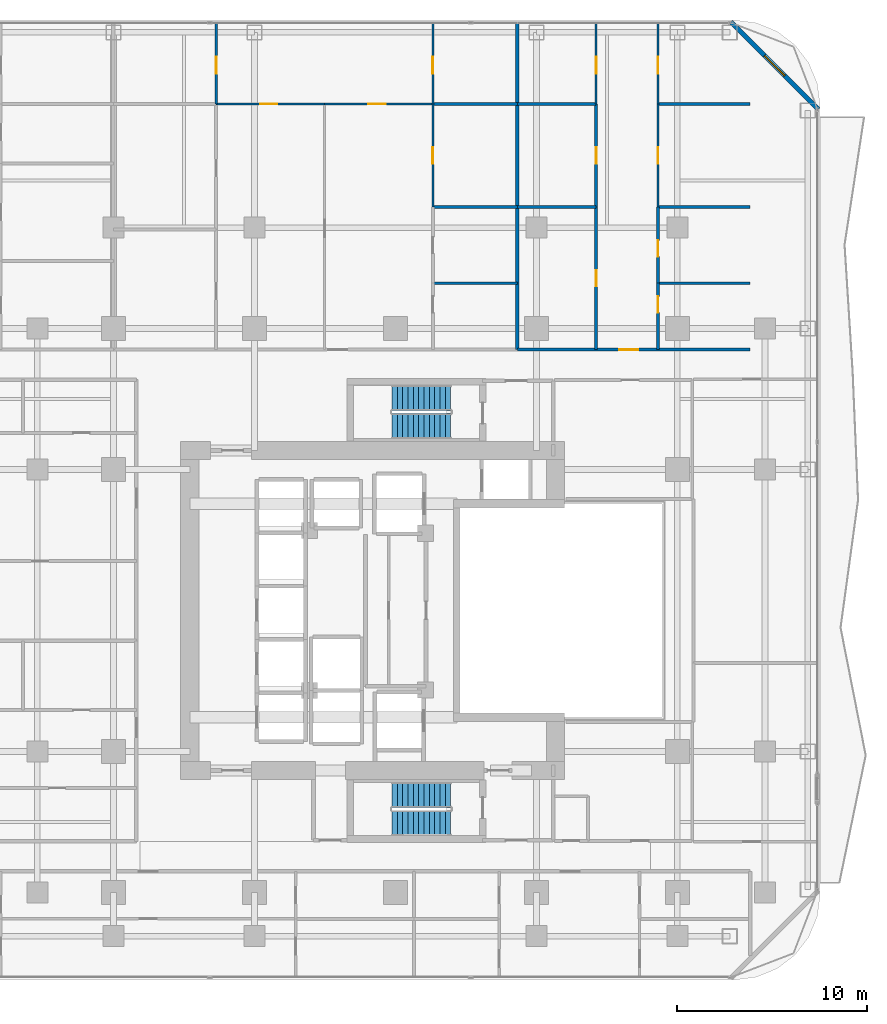
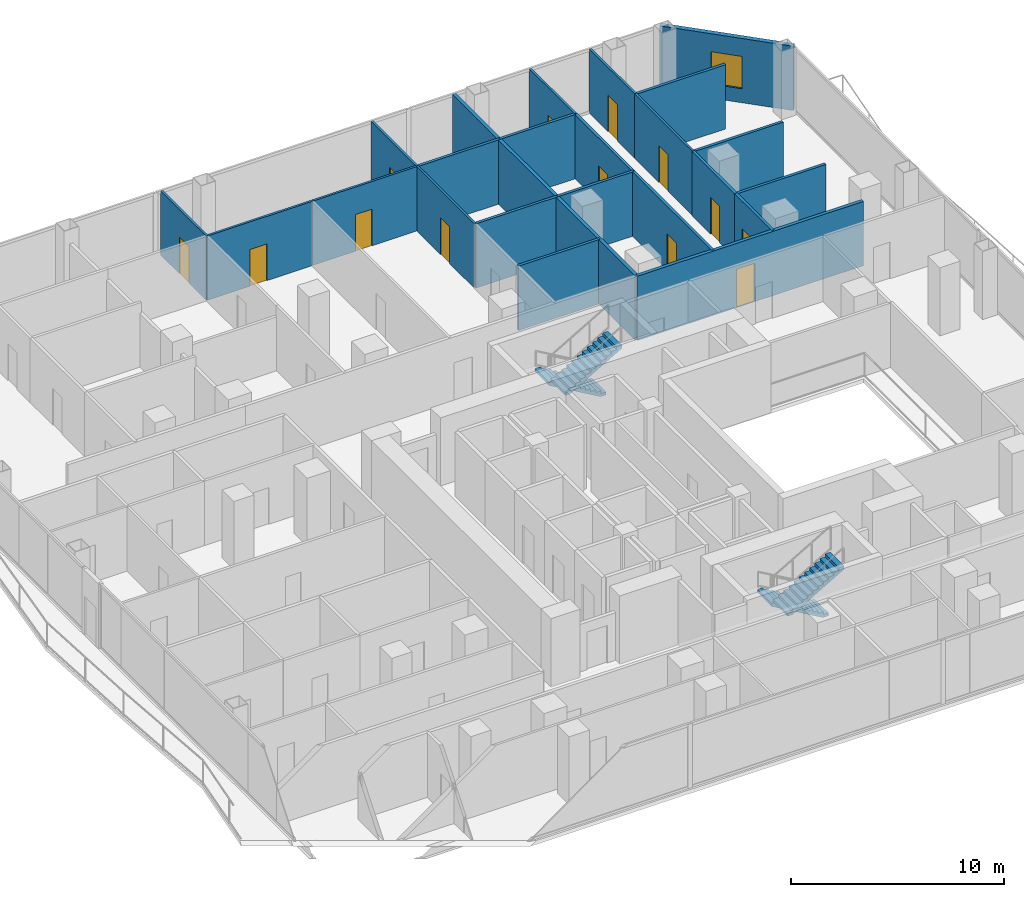
# One storey, part 23 of 27: 23 walls, 13 doors, 4 stair flights, 1 window, 14 openings, 2 elements without a shape of their own.
"""IFC4 building model written with IfcOpenShell, lengths in metres."""

from ifc_helpers import new_model, si_unit, direction, frame, frame_2d, origin, place, context, subcontext, project, spatial, polyline, rectangle, outline, extrude, material, layer, layer_set, type_object, element, fill, aggregate, save


model = new_model("IFC4")

# Units and contexts
model_context = context("Model", 3, precision=1e-05, world=origin(), true_north=direction((0.0, 1.0)))
body_context = subcontext(model_context, "Body", "Model", "MODEL_VIEW")
ifc_project = project(units=[si_unit("LENGTHUNIT", "METRE"), si_unit("AREAUNIT", "SQUARE_METRE"), si_unit("VOLUMEUNIT", "CUBIC_METRE"), si_unit("PLANEANGLEUNIT", "RADIAN"), si_unit("MASSUNIT", "GRAM", prefix="KILO")], contexts=[model_context])

# Site, building, storey
site_placement = place(None, origin())
site = spatial("IfcSite", under=ifc_project, at=site_placement, CompositionType="ELEMENT")
building_placement = place(site_placement, origin())
building = spatial("IfcBuilding", under=site, at=building_placement, Name="Khorvyn Point Tower", CompositionType="ELEMENT")
storey_placement = place(building_placement, frame((0.0, 0.0, 96.89990234375)))
storey = spatial("IfcBuildingStorey", under=building, at=storey_placement, Name="L24", CompositionType="ELEMENT", Elevation=96.89990234375)

# Wall, opening, door
ifc_material_1 = material(Name="Double acoustic gypsum on twin steel stud", Category="steel")
ifc_layer_1 = layer(ifc_material_1, 0.179931640625)
ifc_layer_set_1 = layer_set([ifc_layer_1], Name="Acoustic Double-Stud Apartment Demising Wall 180")
wall_type_1 = type_object("IfcWallType", Name="Acoustic Double-Stud Apartment Demising Wall 180", PredefinedType="PARTITIONING", material=ifc_layer_set_1)
wall_1_placement = place(storey_placement, frame((6.404052734375, 13.699951171875, 0.0), z_axis=(0.0, 0.0, 1.0), x_axis=(1.0, 0.0, 0.0)))
wall_1 = element("IfcWall", 1, at=wall_1_placement, inside=storey, type_object=wall_type_1, Name="Wall", PredefinedType="PARTITIONING", context=body_context, shape_type="SweptSolid", body=[
    extrude(rectangle(XDim=12.216064453125, YDim=0.179931640625, at=frame_2d((6.10791015625, 0.0))), origin(), (0.0, 0.0, 1.0), 3.68017578125),
])
opening_1_placement = place(wall_1_placement, frame((5.340087890625, 0.0, 0.0)))
opening_1 = element("IfcOpeningElement", 2, at=opening_1_placement, cuts=wall_1, Name="Opening ID-AP60", PredefinedType="OPENING", context=body_context, shape_type="SweptSolid", body=[
    extrude(rectangle(XDim=1.0, YDim=2.199951171875, at=frame_2d((0.5, 1.10009765625))), frame((0.0, 0.099853515625, 0.0), z_axis=(0.0, -1.0, 0.0), x_axis=(1.0, 0.0, 0.0)), (0.0, 0.0, 1.0), 0.199951171875),
])
ifc_material_2 = material(Name="Engineered hardwood fire-rated leaf", Category="wood")
door_type_1 = type_object("IfcDoorType", Name="Acoustic Solid-Core Timber Apartment Entrance Door 1000x2200", OperationType="NOTDEFINED", PredefinedType="DOOR", material=ifc_material_2)
door_1_placement = place(opening_1_placement, origin())
door_1 = element("IfcDoor", 3, at=door_1_placement, inside=storey, type_object=door_type_1, Name="Door", OperationType="SINGLE_SWING_LEFT", OverallHeight=2.199951171875, OverallWidth=1.0, PredefinedType="DOOR", context=body_context, shape_type="SweptSolid", body=[
    extrude(rectangle(XDim=1.0, YDim=2.199951171875, at=frame_2d((0.5, 1.10009765625))), frame((0.0, 0.02490234375, 0.0), z_axis=(0.0, -1.0, 0.0), x_axis=(1.0, 0.0, 0.0)), (0.0, 0.0, 1.0), 0.050048828125),
])
fill(opening_1, door_1)

# Wall
wall_2_placement = place(storey_placement, frame((6.404052734375, 13.699951171875, 0.0), z_axis=(0.0, 0.0, 1.0), x_axis=(0.0, 1.0, 0.0)))
element("IfcWall", 4, at=wall_2_placement, inside=storey, type_object=wall_type_1, Name="Wall", PredefinedType="PARTITIONING", context=body_context, shape_type="SweptSolid", body=[
    extrude(rectangle(XDim=17.130126953125, YDim=0.179931640625, at=frame_2d((8.56494140625, 0.0))), origin(), (0.0, 0.0, 1.0), 3.68017578125),
])

# Wall, opening, window
ifc_material_3 = material(Name="Pale anodised aluminium rainscreen on steel stud", Category="steel")
ifc_layer_2 = layer(ifc_material_3, 0.239990234375)
ifc_layer_set_2 = layer_set([ifc_layer_2], Name="Anodised Aluminium Insulated Corner Spandrel Wall 240")
wall_type_2 = type_object("IfcWallType", Name="Anodised Aluminium Insulated Corner Spandrel Wall 240", PredefinedType="SOLIDWALL", material=ifc_layer_set_2)
wall_3_placement = place(storey_placement, frame((17.607666015625, 30.892333984375, 0.0), z_axis=(0.0, 0.0, 1.0), x_axis=(0.707106781187, -0.707106781187, 0.0)))
wall_3 = element("IfcWall", 5, at=wall_3_placement, inside=storey, type_object=wall_type_2, Name="L24 Rounded Corner Wall NE", PredefinedType="SOLIDWALL", context=body_context, shape_type="SweptSolid", body=[
    extrude(rectangle(XDim=6.48388671875, YDim=0.239990234375, at=frame_2d((3.241943359375, 0.0))), origin(), (0.0, 0.0, 1.0), 3.68017578125),
])
opening_2_placement = place(wall_3_placement, frame((2.491943359375, 0.0, 0.800048828125)))
opening_2 = element("IfcOpeningElement", 6, at=opening_2_placement, cuts=wall_3, Name="Opening WN-1518", PredefinedType="OPENING", context=body_context, shape_type="SweptSolid", body=[
    extrude(rectangle(XDim=1.5, YDim=1.85009765625, at=frame_2d((0.75, 0.925048828125))), frame((0.0, 0.1298828125, 0.0), z_axis=(0.0, -1.0, 0.0), x_axis=(1.0, 0.0, 0.0)), (0.0, 0.0, 1.0), 0.260009765625),
])
ifc_material_4 = material(Name="Anodised aluminium 6063-T6 and laminated Low-E glass", Category="aluminium")
window_type = type_object("IfcWindowType", Name="Anodised Aluminium Rounded-Corner Panoramic Window 1500x1850", PartitioningType="SINGLE_PANEL", PredefinedType="WINDOW", material=ifc_material_4)
window_placement = place(opening_2_placement, origin())
window = element("IfcWindow", 7, at=window_placement, inside=storey, type_object=window_type, Name="L24 Corner Panoramic Window NE", OverallHeight=1.85009765625, OverallWidth=1.5, PartitioningType="SINGLE_PANEL", PredefinedType="WINDOW", context=body_context, shape_type="SweptSolid", body=[
    extrude(rectangle(XDim=1.5, YDim=1.85009765625, at=frame_2d((0.75, 0.925048828125))), frame((0.0, 0.030029296875, 0.0), z_axis=(0.0, -1.0, 0.0), x_axis=(1.0, 0.0, 0.0)), (0.0, 0.0, 1.0), 0.06005859375),
])
fill(opening_2, window)

# Wall, opening, door
ifc_material_5 = material(Name="Gypsum plasterboard on steel stud", Category="steel")
ifc_layer_3 = layer(ifc_material_5, 0.1201171875)
ifc_layer_set_3 = layer_set([ifc_layer_3], Name="Gypsum Acoustic Stud Room Partition Wall 120")
wall_type_3 = type_object("IfcWallType", Name="Gypsum Acoustic Stud Room Partition Wall 120", PredefinedType="PARTITIONING", material=ifc_layer_set_3)
wall_4_placement = place(storey_placement, frame((-9.4140625, 26.590087890625, 0.0), z_axis=(0.0, 0.0, 1.0), x_axis=(1.0, 0.0, 0.0)))
wall_4 = element("IfcWall", 8, at=wall_4_placement, inside=storey, type_object=wall_type_3, Name="Wall", PredefinedType="PARTITIONING", context=body_context, shape_type="SweptSolid", body=[
    extrude(rectangle(XDim=5.691162109375, YDim=0.1201171875, at=frame_2d((2.845703125, 0.0))), origin(), (0.0, 0.0, 1.0), 3.68017578125),
])
opening_3_placement = place(wall_4_placement, frame((2.30615234375, 0.0, 0.0)))
opening_3 = element("IfcOpeningElement", 9, at=opening_3_placement, cuts=wall_4, Name="Opening ID-RM90", PredefinedType="OPENING", context=body_context, shape_type="SweptSolid", body=[
    extrude(rectangle(XDim=0.89990234375, YDim=2.10009765625, at=frame_2d((0.449951171875, 1.050048828125))), frame((0.0, 0.070068359375, 0.0), z_axis=(0.0, -1.0, 0.0), x_axis=(1.0, 0.0, 0.0)), (0.0, 0.0, 1.0), 0.14013671875),
])
ifc_material_6 = material(Name="Engineered oak veneer timber", Category="wood")
door_type_2 = type_object("IfcDoorType", Name="Flush Engineered Timber Room Door 900x2100", OperationType="NOTDEFINED", PredefinedType="DOOR", material=ifc_material_6)
door_2_placement = place(opening_3_placement, origin())
door_2 = element("IfcDoor", 10, at=door_2_placement, inside=storey, type_object=door_type_2, Name="Door", OperationType="SINGLE_SWING_LEFT", OverallHeight=2.10009765625, OverallWidth=0.89990234375, PredefinedType="DOOR", context=body_context, shape_type="SweptSolid", body=[
    extrude(rectangle(XDim=0.89990234375, YDim=2.10009765625, at=frame_2d((0.449951171875, 1.050048828125))), frame((0.0, 0.02490234375, 0.0), z_axis=(0.0, -1.0, 0.0), x_axis=(1.0, 0.0, 0.0)), (0.0, 0.0, 1.0), 0.050048828125),
])
fill(opening_3, door_2)

wall_5_placement = place(storey_placement, frame((-3.722900390625, 26.590087890625, 0.0), z_axis=(0.0, 0.0, 1.0), x_axis=(1.0, 0.0, 0.0)))
wall_5 = element("IfcWall", 11, at=wall_5_placement, inside=storey, type_object=wall_type_3, Name="Wall", PredefinedType="PARTITIONING", context=body_context, shape_type="SweptSolid", body=[
    extrude(rectangle(XDim=5.68994140625, YDim=0.1201171875, at=frame_2d((2.844970703125, 0.0))), origin(), (0.0, 0.0, 1.0), 3.68017578125),
])
opening_4_placement = place(wall_5_placement, frame((2.3056640625, 0.0, 0.0)))
opening_4 = element("IfcOpeningElement", 12, at=opening_4_placement, cuts=wall_5, Name="Opening ID-RM90", PredefinedType="OPENING", context=body_context, shape_type="SweptSolid", body=[
    extrude(rectangle(XDim=0.89990234375, YDim=2.10009765625, at=frame_2d((0.449951171875, 1.050048828125))), frame((0.0, 0.070068359375, 0.0), z_axis=(0.0, -1.0, 0.0), x_axis=(1.0, 0.0, 0.0)), (0.0, 0.0, 1.0), 0.14013671875),
])
door_3_placement = place(opening_4_placement, origin())
door_3 = element("IfcDoor", 13, at=door_3_placement, inside=storey, type_object=door_type_2, Name="Door", OperationType="SINGLE_SWING_RIGHT", OverallHeight=2.10009765625, OverallWidth=0.89990234375, PredefinedType="DOOR", context=body_context, shape_type="SweptSolid", body=[
    extrude(rectangle(XDim=0.89990234375, YDim=2.10009765625, at=frame_2d((0.449951171875, 1.050048828125))), frame((0.0, 0.02490234375, 0.0), z_axis=(0.0, -1.0, 0.0), x_axis=(1.0, 0.0, 0.0)), (0.0, 0.0, 1.0), 0.050048828125),
])
fill(opening_4, door_3)

wall_6_placement = place(storey_placement, frame((-9.4140625, 26.590087890625, 0.0), z_axis=(0.0, 0.0, 1.0), x_axis=(0.0, 1.0, 0.0)))
wall_6 = element("IfcWall", 14, at=wall_6_placement, inside=storey, type_object=wall_type_3, Name="Wall", PredefinedType="PARTITIONING", context=body_context, shape_type="SweptSolid", body=[
    extrude(rectangle(XDim=4.239990234375, YDim=0.1201171875, at=frame_2d((2.1201171875, 0.0))), origin(), (0.0, 0.0, 1.0), 3.68017578125),
])
opening_5_placement = place(wall_6_placement, frame((1.581298828125, 0.0, 0.0)))
opening_5 = element("IfcOpeningElement", 15, at=opening_5_placement, cuts=wall_6, Name="Opening ID-RM90", PredefinedType="OPENING", context=body_context, shape_type="SweptSolid", body=[
    extrude(rectangle(XDim=0.89990234375, YDim=2.10009765625, at=frame_2d((0.449951171875, 1.050048828125))), frame((0.0, 0.070068359375, 0.0), z_axis=(0.0, -1.0, 0.0), x_axis=(1.0, 0.0, 0.0)), (0.0, 0.0, 1.0), 0.14013671875),
])
door_4_placement = place(opening_5_placement, origin())
door_4 = element("IfcDoor", 16, at=door_4_placement, inside=storey, type_object=door_type_2, Name="Door", OperationType="SINGLE_SWING_RIGHT", OverallHeight=2.10009765625, OverallWidth=0.89990234375, PredefinedType="DOOR", context=body_context, shape_type="SweptSolid", body=[
    extrude(rectangle(XDim=0.89990234375, YDim=2.10009765625, at=frame_2d((0.449951171875, 1.050048828125))), frame((0.0, 0.02490234375, 0.0), z_axis=(0.0, -1.0, 0.0), x_axis=(1.0, 0.0, 0.0)), (0.0, 0.0, 1.0), 0.050048828125),
])
fill(opening_5, door_4)

wall_7_placement = place(storey_placement, frame((1.967041015625, 21.176025390625, 0.0), z_axis=(0.0, 0.0, 1.0), x_axis=(0.0, 1.0, 0.0)))
wall_7 = element("IfcWall", 17, at=wall_7_placement, inside=storey, type_object=wall_type_3, Name="Wall", PredefinedType="PARTITIONING", context=body_context, shape_type="SweptSolid", body=[
    extrude(rectangle(XDim=5.4140625, YDim=0.1201171875, at=frame_2d((2.70703125, 0.0))), origin(), (0.0, 0.0, 1.0), 3.68017578125),
])
opening_6_placement = place(wall_7_placement, frame((2.281982421875, 0.0, 0.0)))
opening_6 = element("IfcOpeningElement", 18, at=opening_6_placement, cuts=wall_7, Name="Opening ID-WC85", PredefinedType="OPENING", context=body_context, shape_type="SweptSolid", body=[
    extrude(rectangle(XDim=0.85009765625, YDim=2.10009765625, at=frame_2d((0.425048828125, 1.050048828125))), frame((0.0, 0.070068359375, 0.0), z_axis=(0.0, -1.0, 0.0), x_axis=(1.0, 0.0, 0.0)), (0.0, 0.0, 1.0), 0.14013671875),
])
ifc_material_7 = material(Name="High-pressure laminate on moisture-resistant core", Category="wood")
door_type_3 = type_object("IfcDoorType", Name="Moisture-Resistant Accessible Washroom Door 850x2100", OperationType="NOTDEFINED", PredefinedType="DOOR", material=ifc_material_7)
door_5_placement = place(opening_6_placement, origin())
door_5 = element("IfcDoor", 19, at=door_5_placement, inside=storey, type_object=door_type_3, Name="Door", OperationType="SINGLE_SWING_LEFT", OverallHeight=2.10009765625, OverallWidth=0.85009765625, PredefinedType="DOOR", context=body_context, shape_type="SweptSolid", body=[
    extrude(rectangle(XDim=0.85009765625, YDim=2.10009765625, at=frame_2d((0.425048828125, 1.050048828125))), frame((0.0, 0.02490234375, 0.0), z_axis=(0.0, -1.0, 0.0), x_axis=(1.0, 0.0, 0.0)), (0.0, 0.0, 1.0), 0.050048828125),
])
fill(opening_6, door_5)

wall_8_placement = place(storey_placement, frame((1.967041015625, 26.590087890625, 0.0), z_axis=(0.0, 0.0, 1.0), x_axis=(0.0, 1.0, 0.0)))
wall_8 = element("IfcWall", 20, at=wall_8_placement, inside=storey, type_object=wall_type_3, Name="Wall", PredefinedType="PARTITIONING", context=body_context, shape_type="SweptSolid", body=[
    extrude(rectangle(XDim=4.239990234375, YDim=0.1201171875, at=frame_2d((2.1201171875, 0.0))), origin(), (0.0, 0.0, 1.0), 3.68017578125),
])
opening_7_placement = place(wall_8_placement, frame((1.581298828125, 0.0, 0.0)))
opening_7 = element("IfcOpeningElement", 21, at=opening_7_placement, cuts=wall_8, Name="Opening ID-RM90", PredefinedType="OPENING", context=body_context, shape_type="SweptSolid", body=[
    extrude(rectangle(XDim=0.89990234375, YDim=2.10009765625, at=frame_2d((0.449951171875, 1.050048828125))), frame((0.0, 0.070068359375, 0.0), z_axis=(0.0, -1.0, 0.0), x_axis=(1.0, 0.0, 0.0)), (0.0, 0.0, 1.0), 0.14013671875),
])
door_6_placement = place(opening_7_placement, origin())
door_6 = element("IfcDoor", 22, at=door_6_placement, inside=storey, type_object=door_type_2, Name="Door", OperationType="SINGLE_SWING_RIGHT", OverallHeight=2.10009765625, OverallWidth=0.89990234375, PredefinedType="DOOR", context=body_context, shape_type="SweptSolid", body=[
    extrude(rectangle(XDim=0.89990234375, YDim=2.10009765625, at=frame_2d((0.449951171875, 1.050048828125))), frame((0.0, 0.02490234375, 0.0), z_axis=(0.0, -1.0, 0.0), x_axis=(1.0, 0.0, 0.0)), (0.0, 0.0, 1.0), 0.050048828125),
])
fill(opening_7, door_6)

wall_9_placement = place(storey_placement, frame((10.532958984375, 26.590087890625, 0.0), z_axis=(0.0, 0.0, 1.0), x_axis=(0.0, 1.0, 0.0)))
wall_9 = element("IfcWall", 23, at=wall_9_placement, inside=storey, type_object=wall_type_3, Name="Wall", PredefinedType="PARTITIONING", context=body_context, shape_type="SweptSolid", body=[
    extrude(rectangle(XDim=4.239990234375, YDim=0.1201171875, at=frame_2d((2.1201171875, 0.0))), origin(), (0.0, 0.0, 1.0), 3.68017578125),
])
opening_8_placement = place(wall_9_placement, frame((1.581298828125, 0.0, 0.0)))
opening_8 = element("IfcOpeningElement", 24, at=opening_8_placement, cuts=wall_9, Name="Opening ID-RM90", PredefinedType="OPENING", context=body_context, shape_type="SweptSolid", body=[
    extrude(rectangle(XDim=0.89990234375, YDim=2.10009765625, at=frame_2d((0.449951171875, 1.050048828125))), frame((0.0, 0.070068359375, 0.0), z_axis=(0.0, -1.0, 0.0), x_axis=(1.0, 0.0, 0.0)), (0.0, 0.0, 1.0), 0.14013671875),
])
door_7_placement = place(opening_8_placement, origin())
door_7 = element("IfcDoor", 25, at=door_7_placement, inside=storey, type_object=door_type_2, Name="Door", OperationType="SINGLE_SWING_RIGHT", OverallHeight=2.10009765625, OverallWidth=0.89990234375, PredefinedType="DOOR", context=body_context, shape_type="SweptSolid", body=[
    extrude(rectangle(XDim=0.89990234375, YDim=2.10009765625, at=frame_2d((0.449951171875, 1.050048828125))), frame((0.0, 0.02490234375, 0.0), z_axis=(0.0, -1.0, 0.0), x_axis=(1.0, 0.0, 0.0)), (0.0, 0.0, 1.0), 0.050048828125),
])
fill(opening_8, door_7)

wall_10_placement = place(storey_placement, frame((13.782958984375, 21.176025390625, 0.0), z_axis=(0.0, 0.0, 1.0), x_axis=(0.0, 1.0, 0.0)))
wall_10 = element("IfcWall", 26, at=wall_10_placement, inside=storey, type_object=wall_type_3, Name="Wall", PredefinedType="PARTITIONING", context=body_context, shape_type="SweptSolid", body=[
    extrude(rectangle(XDim=5.4140625, YDim=0.1201171875, at=frame_2d((2.70703125, 0.0))), origin(), (0.0, 0.0, 1.0), 3.68017578125),
])
opening_9_placement = place(wall_10_placement, frame((2.281982421875, 0.0, 0.0)))
opening_9 = element("IfcOpeningElement", 27, at=opening_9_placement, cuts=wall_10, Name="Opening ID-WC85", PredefinedType="OPENING", context=body_context, shape_type="SweptSolid", body=[
    extrude(rectangle(XDim=0.85009765625, YDim=2.10009765625, at=frame_2d((0.425048828125, 1.050048828125))), frame((0.0, 0.070068359375, 0.0), z_axis=(0.0, -1.0, 0.0), x_axis=(1.0, 0.0, 0.0)), (0.0, 0.0, 1.0), 0.14013671875),
])
door_8_placement = place(opening_9_placement, origin())
door_8 = element("IfcDoor", 28, at=door_8_placement, inside=storey, type_object=door_type_3, Name="Door", OperationType="SINGLE_SWING_LEFT", OverallHeight=2.10009765625, OverallWidth=0.85009765625, PredefinedType="DOOR", context=body_context, shape_type="SweptSolid", body=[
    extrude(rectangle(XDim=0.85009765625, YDim=2.10009765625, at=frame_2d((0.425048828125, 1.050048828125))), frame((0.0, 0.02490234375, 0.0), z_axis=(0.0, -1.0, 0.0), x_axis=(1.0, 0.0, 0.0)), (0.0, 0.0, 1.0), 0.050048828125),
])
fill(opening_9, door_8)

wall_11_placement = place(storey_placement, frame((13.782958984375, 26.590087890625, 0.0), z_axis=(0.0, 0.0, 1.0), x_axis=(0.0, 1.0, 0.0)))
wall_11 = element("IfcWall", 29, at=wall_11_placement, inside=storey, type_object=wall_type_3, Name="Wall", PredefinedType="PARTITIONING", context=body_context, shape_type="SweptSolid", body=[
    extrude(rectangle(XDim=4.239990234375, YDim=0.1201171875, at=frame_2d((2.1201171875, 0.0))), origin(), (0.0, 0.0, 1.0), 3.68017578125),
])
opening_10_placement = place(wall_11_placement, frame((1.581298828125, 0.0, 0.0)))
opening_10 = element("IfcOpeningElement", 30, at=opening_10_placement, cuts=wall_11, Name="Opening ID-RM90", PredefinedType="OPENING", context=body_context, shape_type="SweptSolid", body=[
    extrude(rectangle(XDim=0.89990234375, YDim=2.10009765625, at=frame_2d((0.449951171875, 1.050048828125))), frame((0.0, 0.070068359375, 0.0), z_axis=(0.0, -1.0, 0.0), x_axis=(1.0, 0.0, 0.0)), (0.0, 0.0, 1.0), 0.14013671875),
])
door_9_placement = place(opening_10_placement, origin())
door_9 = element("IfcDoor", 31, at=door_9_placement, inside=storey, type_object=door_type_2, Name="Door", OperationType="SINGLE_SWING_RIGHT", OverallHeight=2.10009765625, OverallWidth=0.89990234375, PredefinedType="DOOR", context=body_context, shape_type="SweptSolid", body=[
    extrude(rectangle(XDim=0.89990234375, YDim=2.10009765625, at=frame_2d((0.449951171875, 1.050048828125))), frame((0.0, 0.02490234375, 0.0), z_axis=(0.0, -1.0, 0.0), x_axis=(1.0, 0.0, 0.0)), (0.0, 0.0, 1.0), 0.050048828125),
])
fill(opening_10, door_9)

ifc_material_8 = material(Name="Moisture-resistant gypsum and cement board", Category="gypsum")
ifc_layer_4 = layer(ifc_material_8, 0.14990234375)
ifc_layer_set_4 = layer_set([ifc_layer_4], Name="Moisture-Resistant Wet-Room Partition Wall 150")
wall_type_4 = type_object("IfcWallType", Name="Moisture-Resistant Wet-Room Partition Wall 150", PredefinedType="PARTITIONING", material=ifc_layer_set_4)
wall_12_placement = place(storey_placement, frame((10.532958984375, 13.699951171875, 0.0), z_axis=(0.0, 0.0, 1.0), x_axis=(0.0, 1.0, 0.0)))
wall_12 = element("IfcWall", 32, at=wall_12_placement, inside=storey, type_object=wall_type_4, Name="Wall", PredefinedType="PARTITIONING", context=body_context, shape_type="SweptSolid", body=[
    extrude(rectangle(XDim=7.47607421875, YDim=0.14990234375, at=frame_2d((3.738037109375, 0.0))), origin(), (0.0, 0.0, 1.0), 3.68017578125),
])
opening_11_placement = place(wall_12_placement, frame((3.31298828125, 0.0, 0.0)))
opening_11 = element("IfcOpeningElement", 33, at=opening_11_placement, cuts=wall_12, Name="Opening ID-WC85", PredefinedType="OPENING", context=body_context, shape_type="SweptSolid", body=[
    extrude(rectangle(XDim=0.85009765625, YDim=2.10009765625, at=frame_2d((0.425048828125, 1.050048828125))), frame((0.0, 0.0849609375, 0.0), z_axis=(0.0, -1.0, 0.0), x_axis=(1.0, 0.0, 0.0)), (0.0, 0.0, 1.0), 0.169921875),
])
door_10_placement = place(opening_11_placement, origin())
door_10 = element("IfcDoor", 34, at=door_10_placement, inside=storey, type_object=door_type_3, Name="Door", OperationType="SINGLE_SWING_RIGHT", OverallHeight=2.10009765625, OverallWidth=0.85009765625, PredefinedType="DOOR", context=body_context, shape_type="SweptSolid", body=[
    extrude(rectangle(XDim=0.85009765625, YDim=2.10009765625, at=frame_2d((0.425048828125, 1.050048828125))), frame((0.0, 0.02490234375, 0.0), z_axis=(0.0, -1.0, 0.0), x_axis=(1.0, 0.0, 0.0)), (0.0, 0.0, 1.0), 0.050048828125),
])
fill(opening_11, door_10)

wall_13_placement = place(storey_placement, frame((10.532958984375, 21.176025390625, 0.0), z_axis=(0.0, 0.0, 1.0), x_axis=(0.0, 1.0, 0.0)))
wall_13 = element("IfcWall", 35, at=wall_13_placement, inside=storey, type_object=wall_type_4, Name="Wall", PredefinedType="PARTITIONING", context=body_context, shape_type="SweptSolid", body=[
    extrude(rectangle(XDim=5.4140625, YDim=0.14990234375, at=frame_2d((2.70703125, 0.0))), origin(), (0.0, 0.0, 1.0), 3.68017578125),
])
opening_12_placement = place(wall_13_placement, frame((2.281982421875, 0.0, 0.0)))
opening_12 = element("IfcOpeningElement", 36, at=opening_12_placement, cuts=wall_13, Name="Opening ID-WC85", PredefinedType="OPENING", context=body_context, shape_type="SweptSolid", body=[
    extrude(rectangle(XDim=0.85009765625, YDim=2.10009765625, at=frame_2d((0.425048828125, 1.050048828125))), frame((0.0, 0.0849609375, 0.0), z_axis=(0.0, -1.0, 0.0), x_axis=(1.0, 0.0, 0.0)), (0.0, 0.0, 1.0), 0.169921875),
])
door_11_placement = place(opening_12_placement, origin())
door_11 = element("IfcDoor", 37, at=door_11_placement, inside=storey, type_object=door_type_3, Name="Door", OperationType="SINGLE_SWING_LEFT", OverallHeight=2.10009765625, OverallWidth=0.85009765625, PredefinedType="DOOR", context=body_context, shape_type="SweptSolid", body=[
    extrude(rectangle(XDim=0.85009765625, YDim=2.10009765625, at=frame_2d((0.425048828125, 1.050048828125))), frame((0.0, 0.02490234375, 0.0), z_axis=(0.0, -1.0, 0.0), x_axis=(1.0, 0.0, 0.0)), (0.0, 0.0, 1.0), 0.050048828125),
])
fill(opening_12, door_11)

wall_14_placement = place(storey_placement, frame((13.782958984375, 13.699951171875, 0.0), z_axis=(0.0, 0.0, 1.0), x_axis=(0.0, 1.0, 0.0)))
wall_14 = element("IfcWall", 38, at=wall_14_placement, inside=storey, type_object=wall_type_4, Name="Wall", PredefinedType="PARTITIONING", context=body_context, shape_type="SweptSolid", body=[
    extrude(rectangle(XDim=3.47998046875, YDim=0.14990234375, at=frame_2d((1.739990234375, 0.0))), origin(), (0.0, 0.0, 1.0), 3.68017578125),
])
opening_13_placement = place(wall_14_placement, frame((1.93701171875, 0.0, 0.0)))
opening_13 = element("IfcOpeningElement", 39, at=opening_13_placement, cuts=wall_14, Name="Opening ID-WC85", PredefinedType="OPENING", context=body_context, shape_type="SweptSolid", body=[
    extrude(rectangle(XDim=0.85009765625, YDim=2.10009765625, at=frame_2d((0.425048828125, 1.050048828125))), frame((0.0, 0.0849609375, 0.0), z_axis=(0.0, -1.0, 0.0), x_axis=(1.0, 0.0, 0.0)), (0.0, 0.0, 1.0), 0.169921875),
])
door_12_placement = place(opening_13_placement, origin())
door_12 = element("IfcDoor", 40, at=door_12_placement, inside=storey, type_object=door_type_3, Name="Door", OperationType="SINGLE_SWING_LEFT", OverallHeight=2.10009765625, OverallWidth=0.85009765625, PredefinedType="DOOR", context=body_context, shape_type="SweptSolid", body=[
    extrude(rectangle(XDim=0.85009765625, YDim=2.10009765625, at=frame_2d((0.425048828125, 1.050048828125))), frame((0.0, 0.02490234375, 0.0), z_axis=(0.0, -1.0, 0.0), x_axis=(1.0, 0.0, 0.0)), (0.0, 0.0, 1.0), 0.050048828125),
])
fill(opening_13, door_12)

wall_15_placement = place(storey_placement, frame((13.782958984375, 17.179931640625, 0.0), z_axis=(0.0, 0.0, 1.0), x_axis=(0.0, 1.0, 0.0)))
wall_15 = element("IfcWall", 41, at=wall_15_placement, inside=storey, type_object=wall_type_4, Name="Wall", PredefinedType="PARTITIONING", context=body_context, shape_type="SweptSolid", body=[
    extrude(rectangle(XDim=3.99609375, YDim=0.14990234375, at=frame_2d((1.998046875, 0.0))), origin(), (0.0, 0.0, 1.0), 3.68017578125),
])
opening_14_placement = place(wall_15_placement, frame((1.396484375, 0.0, 0.0)))
opening_14 = element("IfcOpeningElement", 42, at=opening_14_placement, cuts=wall_15, Name="Opening ID-WC85", PredefinedType="OPENING", context=body_context, shape_type="SweptSolid", body=[
    extrude(rectangle(XDim=0.85009765625, YDim=2.10009765625, at=frame_2d((0.425048828125, 1.050048828125))), frame((0.0, 0.0849609375, 0.0), z_axis=(0.0, -1.0, 0.0), x_axis=(1.0, 0.0, 0.0)), (0.0, 0.0, 1.0), 0.169921875),
])
door_13_placement = place(opening_14_placement, origin())
door_13 = element("IfcDoor", 43, at=door_13_placement, inside=storey, type_object=door_type_3, Name="Door", OperationType="SINGLE_SWING_RIGHT", OverallHeight=2.10009765625, OverallWidth=0.85009765625, PredefinedType="DOOR", context=body_context, shape_type="SweptSolid", body=[
    extrude(rectangle(XDim=0.85009765625, YDim=2.10009765625, at=frame_2d((0.425048828125, 1.050048828125))), frame((0.0, 0.02490234375, 0.0), z_axis=(0.0, -1.0, 0.0), x_axis=(1.0, 0.0, 0.0)), (0.0, 0.0, 1.0), 0.050048828125),
])
fill(opening_14, door_13)

# Walls
for number, where, z_axis, x_axis, name in (
    (44, (1.967041015625, 17.179931640625, 0.0), (0.0, 0.0, 1.0), (1.0, 0.0, 0.0), "Wall"),
    (45, (1.967041015625, 21.176025390625, 0.0), (0.0, 0.0, 1.0), (1.0, 0.0, 0.0), "Wall"),
    (46, (1.967041015625, 26.590087890625, 0.0), (0.0, 0.0, 1.0), (1.0, 0.0, 0.0), "Wall"),
):
    element("IfcWall", number, at=place(storey_placement, frame(where, z_axis=z_axis, x_axis=x_axis)), inside=storey, type_object=wall_type_4, Name=name, PredefinedType="PARTITIONING", context=body_context, shape_type="SweptSolid", body=[
        extrude(rectangle(XDim=4.43701171875, YDim=0.14990234375, at=frame_2d((2.218505859375, 0.0))), origin(), (0.0, 0.0, 1.0), 3.68017578125),
    ])
for number, where, z_axis, x_axis, name in (
    (47, (6.404052734375, 21.176025390625, 0.0), (0.0, 0.0, 1.0), (1.0, 0.0, 0.0), "Wall"),
    (48, (6.404052734375, 26.590087890625, 0.0), (0.0, 0.0, 1.0), (1.0, 0.0, 0.0), "Wall"),
):
    element("IfcWall", number, at=place(storey_placement, frame(where, z_axis=z_axis, x_axis=x_axis)), inside=storey, type_object=wall_type_4, Name=name, PredefinedType="PARTITIONING", context=body_context, shape_type="SweptSolid", body=[
        extrude(rectangle(XDim=4.12890625, YDim=0.14990234375, at=frame_2d((2.064453125, 0.0))), origin(), (0.0, 0.0, 1.0), 3.68017578125),
    ])
for number, where, z_axis, x_axis, name in (
    (49, (13.782958984375, 17.179931640625, 0.0), (0.0, 0.0, 1.0), (1.0, 0.0, 0.0), "Wall"),
    (50, (13.782958984375, 21.176025390625, 0.0), (0.0, 0.0, 1.0), (1.0, 0.0, 0.0), "Wall"),
    (51, (13.782958984375, 26.590087890625, 0.0), (0.0, 0.0, 1.0), (1.0, 0.0, 0.0), "Wall"),
):
    element("IfcWall", number, at=place(storey_placement, frame(where, z_axis=z_axis, x_axis=x_axis)), inside=storey, type_object=wall_type_4, Name=name, PredefinedType="PARTITIONING", context=body_context, shape_type="SweptSolid", body=[
        extrude(rectangle(XDim=4.837158203125, YDim=0.14990234375, at=frame_2d((2.41845703125, 0.0))), origin(), (0.0, 0.0, 1.0), 3.68017578125),
    ])

# Stair, stair flights
ifc_material_9 = material(Name="Concrete C40/50", Category="concrete")
stair_type = type_object("IfcStairType", Name="Tower Concrete C40/50 Dogleg Exit Stair", PredefinedType="HALF_TURN_STAIR", material=ifc_material_9)
stair_1_placement = place(storey_placement, origin())
stair_1 = element("IfcStair", 52, at=stair_1_placement, inside=storey, type_object=stair_type, Name="L24 Tower Smokeproof Exit Stair South", PredefinedType="HALF_TURN_STAIR")
stair_flight_type = type_object("IfcStairFlightType", Name="Tower Concrete C40/50 Stair Flight", PredefinedType="STRAIGHT", material=ifc_material_9)
stair_flight_1_placement = place(storey_placement, frame((2.89990234375, -9.679931640625, 0.0), z_axis=(0.0, 0.0, 1.0), x_axis=(-1.0, 0.0, 0.0)))
stair_flight_1 = element("IfcStairFlight", 53, at=stair_flight_1_placement, type_object=stair_flight_type, Name="ST-01 flight 1", NumberOfRisers=12, NumberOfTreads=11, PredefinedType="STRAIGHT", RiserHeight=0.1625, TreadLength=0.28, context=body_context, shape_type="SweptSolid", body=[
    extrude(outline(polyline([(0.0, 0.0), (0.0, 0.16259765625), (0.280029296875, 0.16259765625), (0.280029296875, 0.324951171875), (0.56005859375, 0.324951171875), (0.56005859375, 0.487548828125), (0.840087890625, 0.487548828125), (0.840087890625, 0.64990234375), (1.1201171875, 0.64990234375), (1.1201171875, 0.8125), (1.39990234375, 0.8125), (1.39990234375, 0.97509765625), (1.679931640625, 0.97509765625), (1.679931640625, 1.137451171875), (1.9599609375, 1.137451171875), (1.9599609375, 1.300048828125), (2.239990234375, 1.300048828125), (2.239990234375, 1.46240234375), (2.52001953125, 1.46240234375), (2.52001953125, 1.625), (2.800048828125, 1.625), (2.800048828125, 1.78759765625), (3.080078125, 1.78759765625), (3.080078125, 1.949951171875), (3.080078125, 1.6142578125), (0.298583984375, 0.0), (0.0, 0.0)])), frame((0.0, 0.66015625, 0.0), z_axis=(0.0, -1.0, 0.0), x_axis=(1.0, 0.0, 0.0)), (0.0, 0.0, 1.0), 1.320068359375),
])
stair_flight_2_placement = place(storey_placement, frame((-0.179931640625, -11.159912109375, 1.9501953125), z_axis=(0.0, 0.0, 1.0), x_axis=(1.0, 0.0, 0.0)))
stair_flight_2 = element("IfcStairFlight", 54, at=stair_flight_2_placement, type_object=stair_flight_type, Name="ST-01 flight 2", NumberOfRisers=12, NumberOfTreads=11, PredefinedType="STRAIGHT", RiserHeight=0.1625, TreadLength=0.28, context=body_context, shape_type="SweptSolid", body=[
    extrude(outline(polyline([(0.0, 0.0), (0.0, 0.16259765625), (0.280029296875, 0.16259765625), (0.280029296875, 0.324951171875), (0.56005859375, 0.324951171875), (0.56005859375, 0.487548828125), (0.840087890625, 0.487548828125), (0.840087890625, 0.64990234375), (1.1201171875, 0.64990234375), (1.1201171875, 0.8125), (1.39990234375, 0.8125), (1.39990234375, 0.97509765625), (1.679931640625, 0.97509765625), (1.679931640625, 1.137451171875), (1.9599609375, 1.137451171875), (1.9599609375, 1.300048828125), (2.239990234375, 1.300048828125), (2.239990234375, 1.46240234375), (2.52001953125, 1.46240234375), (2.52001953125, 1.625), (2.800048828125, 1.625), (2.800048828125, 1.78759765625), (3.080078125, 1.78759765625), (3.080078125, 1.949951171875), (3.080078125, 1.6142578125), (0.298583984375, 0.0), (0.0, 0.0)])), frame((0.0, 0.66015625, 0.0), z_axis=(0.0, -1.0, 0.0), x_axis=(1.0, 0.0, 0.0)), (0.0, 0.0, 1.0), 1.320068359375),
])
aggregate(stair_1, [stair_flight_1, stair_flight_2])

stair_2_placement = place(storey_placement, origin())
stair_2 = element("IfcStair", 55, at=stair_2_placement, inside=storey, type_object=stair_type, Name="L24 Tower Smokeproof Exit Stair North", PredefinedType="HALF_TURN_STAIR")
stair_flight_3_placement = place(storey_placement, frame((2.89990234375, 11.159912109375, 0.0), z_axis=(0.0, 0.0, 1.0), x_axis=(-1.0, 0.0, 0.0)))
stair_flight_3 = element("IfcStairFlight", 56, at=stair_flight_3_placement, type_object=stair_flight_type, Name="ST-02 flight 1", NumberOfRisers=12, NumberOfTreads=11, PredefinedType="STRAIGHT", RiserHeight=0.1625, TreadLength=0.28, context=body_context, shape_type="SweptSolid", body=[
    extrude(outline(polyline([(0.0, 0.0), (0.0, 0.16259765625), (0.280029296875, 0.16259765625), (0.280029296875, 0.324951171875), (0.56005859375, 0.324951171875), (0.56005859375, 0.487548828125), (0.840087890625, 0.487548828125), (0.840087890625, 0.64990234375), (1.1201171875, 0.64990234375), (1.1201171875, 0.8125), (1.39990234375, 0.8125), (1.39990234375, 0.97509765625), (1.679931640625, 0.97509765625), (1.679931640625, 1.137451171875), (1.9599609375, 1.137451171875), (1.9599609375, 1.300048828125), (2.239990234375, 1.300048828125), (2.239990234375, 1.46240234375), (2.52001953125, 1.46240234375), (2.52001953125, 1.625), (2.800048828125, 1.625), (2.800048828125, 1.78759765625), (3.080078125, 1.78759765625), (3.080078125, 1.949951171875), (3.080078125, 1.6142578125), (0.298583984375, 0.0), (0.0, 0.0)])), frame((0.0, 0.66015625, 0.0), z_axis=(0.0, -1.0, 0.0), x_axis=(1.0, 0.0, 0.0)), (0.0, 0.0, 1.0), 1.320068359375),
])
stair_flight_4_placement = place(storey_placement, frame((-0.179931640625, 9.679931640625, 1.9501953125), z_axis=(0.0, 0.0, 1.0), x_axis=(1.0, 0.0, 0.0)))
stair_flight_4 = element("IfcStairFlight", 57, at=stair_flight_4_placement, type_object=stair_flight_type, Name="ST-02 flight 2", NumberOfRisers=12, NumberOfTreads=11, PredefinedType="STRAIGHT", RiserHeight=0.1625, TreadLength=0.28, context=body_context, shape_type="SweptSolid", body=[
    extrude(outline(polyline([(0.0, 0.0), (0.0, 0.16259765625), (0.280029296875, 0.16259765625), (0.280029296875, 0.324951171875), (0.56005859375, 0.324951171875), (0.56005859375, 0.487548828125), (0.840087890625, 0.487548828125), (0.840087890625, 0.64990234375), (1.1201171875, 0.64990234375), (1.1201171875, 0.8125), (1.39990234375, 0.8125), (1.39990234375, 0.97509765625), (1.679931640625, 0.97509765625), (1.679931640625, 1.137451171875), (1.9599609375, 1.137451171875), (1.9599609375, 1.300048828125), (2.239990234375, 1.300048828125), (2.239990234375, 1.46240234375), (2.52001953125, 1.46240234375), (2.52001953125, 1.625), (2.800048828125, 1.625), (2.800048828125, 1.78759765625), (3.080078125, 1.78759765625), (3.080078125, 1.949951171875), (3.080078125, 1.6142578125), (0.298583984375, 0.0), (0.0, 0.0)])), frame((0.0, 0.66015625, 0.0), z_axis=(0.0, -1.0, 0.0), x_axis=(1.0, 0.0, 0.0)), (0.0, 0.0, 1.0), 1.320068359375),
])
aggregate(stair_2, [stair_flight_3, stair_flight_4])

save(model, "model.ifc")
